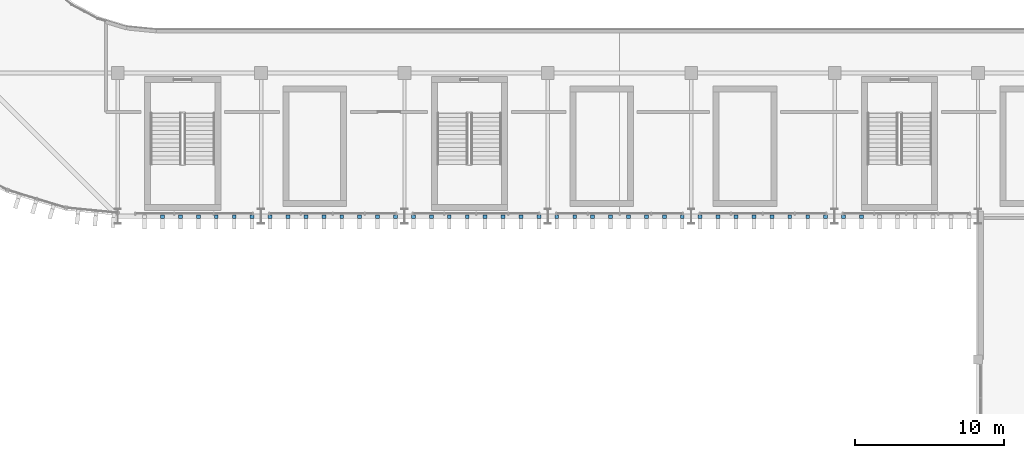
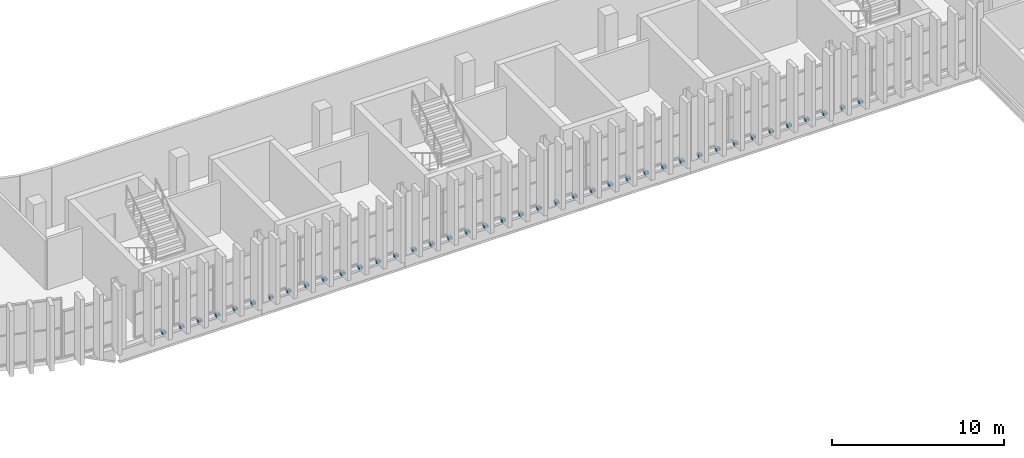
# One storey, part 68 of 92: 40 discrete accessories.
"""IFC4 building model written with IfcOpenShell, lengths in metres."""

import ifcopenshell
import ifcopenshell.guid

model = None  # the IFC model being written
_history = None  # IfcOwnerHistory: only IFC2X3 demands one
_inside = {}  # id of a spatial element -> (the spatial element, [elements in it])
_under = {}  # id of a project, library or spatial element -> (it, [spatial elements below it])
_declared = {}  # id of a project -> (the project, [libraries it declares])
_typed = {}  # id of a type object -> (the type object, [elements of that type])
_made_of = {}  # id of a material, layer set ... -> (it, [elements and type objects made of it])


def new_model(schema):
    """Start an empty IFC model of exactly this schema.

    Asked for "IFC4X3", IfcOpenShell would pick the latest addendum, in which some entities
    have other attributes; the version numbers below select the first issue.
    IFC2X3 requires an IfcOwnerHistory on every rooted entity: one is made here for all.
    """
    global model, _history
    if schema == "IFC4X3":
        model = ifcopenshell.file(schema_version=(4, 3, 0, 0))
    else:
        model = ifcopenshell.file(schema=schema)
    _inside.clear()
    _under.clear()
    _declared.clear()
    _typed.clear()
    _made_of.clear()
    _history = None
    if model.schema == "IFC2X3":
        org = make("IfcOrganization", Name="unknown")
        user = make(
            "IfcPersonAndOrganization",
            ThePerson=make("IfcPerson", FamilyName="unknown"),
            TheOrganization=org,
        )
        app = make(
            "IfcApplication",
            ApplicationDeveloper=org,
            Version="unknown",
            ApplicationFullName="unknown",
            ApplicationIdentifier="unknown",
        )
        _history = make(
            "IfcOwnerHistory",
            OwningUser=user,
            OwningApplication=app,
            ChangeAction="ADDED",
            CreationDate=0,
        )
    return model


def make(cls, **values):
    """One entity of the class cls with the attributes given. An attribute that is None is left unset."""
    return model.create_entity(
        cls, **{name: value for name, value in values.items() if value is not None}
    )


def rooted(cls, **values):
    """An entity with a GlobalId (a new one), such as an element, a storey or a relation."""
    return make(cls, GlobalId=ifcopenshell.guid.new(), OwnerHistory=_history, **values)


def si_unit(unit_type, name, prefix=None):
    """IfcSIUnit, for example si_unit("LENGTHUNIT", "METRE", prefix="MILLI")."""
    return make("IfcSIUnit", UnitType=unit_type, Prefix=prefix, Name=name)


def assignment(units):
    """IfcUnitAssignment: the units of a project."""
    return None if units is None else make("IfcUnitAssignment", Units=units)


def point(xyz):
    """IfcCartesianPoint."""
    return None if xyz is None else make("IfcCartesianPoint", Coordinates=xyz)


def direction(xyz):
    """IfcDirection."""
    return None if xyz is None else make("IfcDirection", DirectionRatios=xyz)


def frame(location, z_axis=None, x_axis=None):
    """IfcAxis2Placement3D, a coordinate frame: its origin and axes. An axis left out is left unset."""
    return make(
        "IfcAxis2Placement3D",
        Location=point(location),
        Axis=direction(z_axis),
        RefDirection=direction(x_axis),
    )


def frame_2d(location, x_axis=None):
    """IfcAxis2Placement2D, a coordinate frame in the plane: its origin and x axis."""
    return make(
        "IfcAxis2Placement2D", Location=point(location), RefDirection=direction(x_axis)
    )


def origin():
    """The frame at (0, 0, 0) with its axes left unset."""
    return frame((0.0, 0.0, 0.0))


def origin_2d():
    """The frame at (0, 0) in the plane with its x axis left unset."""
    return frame_2d((0.0, 0.0))


def place(relative_to, where):
    """IfcLocalPlacement: puts the frame where relative to a parent placement (None: the world)."""
    return make(
        "IfcLocalPlacement", PlacementRelTo=relative_to, RelativePlacement=where
    )


def context(
    kind, dimensions, precision=None, world=None, true_north=None, identifier=None
):
    """IfcGeometricRepresentationContext, for example the 3D "Model" context."""
    return make(
        "IfcGeometricRepresentationContext",
        ContextIdentifier=identifier,
        ContextType=kind,
        CoordinateSpaceDimension=dimensions,
        Precision=precision,
        WorldCoordinateSystem=world,
        TrueNorth=true_north,
    )


def subcontext(parent, identifier, kind, view, scale=None):
    """IfcGeometricRepresentationSubContext, for example "Body" below "Model"."""
    return make(
        "IfcGeometricRepresentationSubContext",
        ContextIdentifier=identifier,
        ContextType=kind,
        ParentContext=parent,
        TargetScale=scale,
        TargetView=view,
    )


def project(units=None, contexts=None):
    """IfcProject with its units and contexts."""
    return rooted(
        "IfcProject",
        Name="project",
        RepresentationContexts=contexts,
        UnitsInContext=assignment(units),
    )


def spatial(cls, under=None, at=None, **own):
    """A site, building, storey or space (cls), placed at a placement, below another one or the project."""
    s = rooted(cls, ObjectPlacement=at, **own)
    if under is not None:
        _under.setdefault(under.id(), (under, []))[1].append(s)
    return s


def profile(cls, at=None, kind="AREA", **sizes):
    """A parametric profile (cls). Its sizes go by their IFC names, for example OverallWidth=200.0."""
    return make(cls, ProfileType=kind, Position=at, **sizes)


def rectangle(**sizes):
    """IfcRectangleProfileDef."""
    return profile("IfcRectangleProfileDef", **sizes)


def extrude(swept, where, along, depth):
    """IfcExtrudedAreaSolid: the profile swept, set in the frame where, extruded along a direction by depth."""
    return make(
        "IfcExtrudedAreaSolid",
        SweptArea=swept,
        Position=where,
        ExtrudedDirection=direction(along),
        Depth=depth,
    )


def shape(context_of_items, identifier, shape_type, items):
    """IfcShapeRepresentation: the items that make up one representation, for example the "Body"."""
    return make(
        "IfcShapeRepresentation",
        ContextOfItems=context_of_items,
        RepresentationIdentifier=identifier,
        RepresentationType=shape_type,
        Items=items,
    )


def material(Name=None, Category=None):
    """IfcMaterial."""
    return make("IfcMaterial", Name=Name, Category=Category)


def made_of(thing, what):
    """Note that an element or type object is made of a material, layer set ...; save() writes the relation."""
    if what is not None:
        _made_of.setdefault(what.id(), (what, []))[1].append(thing)
    return thing


def type_object(cls, material=None, **own):
    """A type object (cls), such as IfcWallType, which elements share."""
    return made_of(rooted(cls, **own), material)


def element(
    cls,
    number,
    at=None,
    inside=None,
    cuts=None,
    type_object=None,
    material=None,
    context=None,
    identifier="Body",
    shape_type=None,
    held_by="IfcProductDefinitionShape",
    body=None,
    shapes=None,
    **own,
):
    """One element of the class cls, such as IfcWall. Its Tag is "e" and its number.

    at: its placement. inside: the storey or other place that contains it. cuts: it is an
    opening in that element (IfcRelVoidsElement). A single representation is given by context,
    identifier, shape_type and body (its items); several are given by shapes. held_by: the class
    of the entity that holds the representations. save() writes the other relations.
    """
    e = rooted(cls, Tag="e%d" % number, ObjectPlacement=at, **own)
    if body is not None:
        shapes = [shape(context, identifier, shape_type, body)]
    if shapes is not None:
        e.Representation = make(held_by, Representations=shapes)
    if inside is not None:
        _inside.setdefault(inside.id(), (inside, []))[1].append(e)
    if cuts is not None:
        rooted(
            "IfcRelVoidsElement", RelatingBuildingElement=cuts, RelatedOpeningElement=e
        )
    if type_object is not None:
        _typed.setdefault(type_object.id(), (type_object, []))[1].append(e)
    return made_of(e, material)


def aggregate(whole, parts):
    """IfcRelAggregates: a whole, such as a stair, and the parts it consists of."""
    return rooted("IfcRelAggregates", RelatingObject=whole, RelatedObjects=parts)


def save(model, path):
    """Write the relations noted so far, then the file.

    IfcRelAggregates (storeys below a building ...), IfcRelContainedInSpatialStructure (elements
    in a storey), IfcRelDefinesByType, IfcRelAssociatesMaterial and IfcRelDeclares: one each for
    every whole, place, type object, material and project.
    """
    for whole, parts in _under.values():
        aggregate(whole, parts)
    for where, things in _inside.values():
        rooted(
            "IfcRelContainedInSpatialStructure",
            RelatedElements=things,
            RelatingStructure=where,
        )
    for kind, things in _typed.values():
        rooted("IfcRelDefinesByType", RelatedObjects=things, RelatingType=kind)
    for what, things in _made_of.values():
        rooted("IfcRelAssociatesMaterial", RelatedObjects=things, RelatingMaterial=what)
    for by, libraries in _declared.values():
        rooted("IfcRelDeclares", RelatingContext=by, RelatedDefinitions=libraries)
    model.write(path)


model = new_model("IFC4")

# Units and contexts
model_context = context("Model", 3, precision=1e-05, world=origin(), true_north=direction((0.0, 1.0)))
body_context = subcontext(model_context, "Body", "Model", "MODEL_VIEW")
ifc_project = project(units=[si_unit("LENGTHUNIT", "METRE"), si_unit("AREAUNIT", "SQUARE_METRE"), si_unit("VOLUMEUNIT", "CUBIC_METRE"), si_unit("PLANEANGLEUNIT", "RADIAN"), si_unit("MASSUNIT", "GRAM", prefix="KILO")], contexts=[model_context])

# Site, building, storey
site_placement = place(None, origin())
site = spatial("IfcSite", under=ifc_project, at=site_placement, CompositionType="ELEMENT")
building_placement = place(site_placement, origin())
building = spatial("IfcBuilding", under=site, at=building_placement, Name="Caelomonte Colonnade Arena", CompositionType="ELEMENT")
storey_placement = place(building_placement, frame((0.0, 0.0, 9.60009765625)))
storey = spatial("IfcBuildingStorey", under=building, at=storey_placement, Name="L02", CompositionType="ELEMENT", Elevation=9.60009765625)

# Discrete accessories
ifc_material = material(Name="Steel ASTM A572 Grade 50", Category="steel")
discrete_accessory_type = type_object("IfcDiscreteAccessoryType", Name="ENV-ACC-BRK", PredefinedType="BRACKET", material=ifc_material)
for number, where, z_axis, x_axis, name in (
    (1, (79.800048828125, 19.169921875, -0.2099609375), (0.0, 0.0, 1.0), (1.0, 0.0, 0.0), "V1 L02 fin support bracket 240"),
    (2, (81.0, 19.169921875, -0.2099609375), (0.0, 0.0, 1.0), (1.0, 0.0, 0.0), "V1 L02 fin support bracket 241"),
    (3, (82.199951171875, 19.169921875, -0.2099609375), (0.0, 0.0, 1.0), (1.0, 0.0, 0.0), "V1 L02 fin support bracket 242"),
    (4, (83.39990234375, 19.169921875, -0.2099609375), (0.0, 0.0, 1.0), (1.0, 0.0, 0.0), "V1 L02 fin support bracket 243"),
    (5, (84.60009765625, 19.169921875, -0.2099609375), (0.0, 0.0, 1.0), (1.0, 0.0, 0.0), "V1 L02 fin support bracket 244"),
    (6, (85.800048828125, 19.169921875, -0.2099609375), (0.0, 0.0, 1.0), (1.0, 0.0, 0.0), "V1 L02 fin support bracket 245"),
    (7, (87.0, 19.169921875, -0.2099609375), (0.0, 0.0, 1.0), (1.0, 0.0, 0.0), "V1 L02 fin support bracket 246"),
    (8, (88.199951171875, 19.169921875, -0.2099609375), (0.0, 0.0, 1.0), (1.0, 0.0, 0.0), "V1 L02 fin support bracket 247"),
    (9, (89.39990234375, 19.169921875, -0.2099609375), (0.0, 0.0, 1.0), (1.0, 0.0, 0.0), "V1 L02 fin support bracket 248"),
    (10, (90.60009765625, 19.169921875, -0.2099609375), (0.0, 0.0, 1.0), (1.0, 0.0, 0.0), "V1 L02 fin support bracket 249"),
    (11, (91.800048828125, 19.169921875, -0.2099609375), (0.0, 0.0, 1.0), (1.0, 0.0, 0.0), "V1 L02 fin support bracket 250"),
    (12, (93.0, 19.169921875, -0.2099609375), (0.0, 0.0, 1.0), (1.0, 0.0, 0.0), "V1 L02 fin support bracket 251"),
    (13, (94.199951171875, 19.169921875, -0.2099609375), (0.0, 0.0, 1.0), (1.0, 0.0, 0.0), "V1 L02 fin support bracket 252"),
    (14, (95.39990234375, 19.169921875, -0.2099609375), (0.0, 0.0, 1.0), (1.0, 0.0, 0.0), "V1 L02 fin support bracket 253"),
    (15, (96.60009765625, 19.169921875, -0.2099609375), (0.0, 0.0, 1.0), (1.0, 0.0, 0.0), "V1 L02 fin support bracket 254"),
    (16, (97.800048828125, 19.169921875, -0.2099609375), (0.0, 0.0, 1.0), (1.0, 0.0, 0.0), "V1 L02 fin support bracket 255"),
    (17, (99.0, 19.169921875, -0.2099609375), (0.0, 0.0, 1.0), (1.0, 0.0, 0.0), "V1 L02 fin support bracket 256"),
    (18, (100.199951171875, 19.169921875, -0.2099609375), (0.0, 0.0, 1.0), (1.0, 0.0, 0.0), "V1 L02 fin support bracket 257"),
    (19, (101.39990234375, 19.169921875, -0.2099609375), (0.0, 0.0, 1.0), (1.0, 0.0, 0.0), "V1 L02 fin support bracket 258"),
    (20, (102.60009765625, 19.169921875, -0.2099609375), (0.0, 0.0, 1.0), (1.0, 0.0, 0.0), "V1 L02 fin support bracket 259"),
    (21, (103.800048828125, 19.169921875, -0.2099609375), (0.0, 0.0, 1.0), (1.0, 0.0, 0.0), "V1 L02 fin support bracket 260"),
    (22, (105.0, 19.169921875, -0.2099609375), (0.0, 0.0, 1.0), (1.0, 0.0, 0.0), "V1 L02 fin support bracket 261"),
    (23, (106.199951171875, 19.169921875, -0.2099609375), (0.0, 0.0, 1.0), (1.0, 0.0, 0.0), "V1 L02 fin support bracket 262"),
    (24, (107.39990234375, 19.169921875, -0.2099609375), (0.0, 0.0, 1.0), (1.0, 0.0, 0.0), "V1 L02 fin support bracket 263"),
    (25, (108.60009765625, 19.169921875, -0.2099609375), (0.0, 0.0, 1.0), (1.0, 0.0, 0.0), "V1 L02 fin support bracket 264"),
    (26, (109.800048828125, 19.169921875, -0.2099609375), (0.0, 0.0, 1.0), (1.0, 0.0, 0.0), "V1 L02 fin support bracket 265"),
    (27, (111.0, 19.169921875, -0.2099609375), (0.0, 0.0, 1.0), (1.0, 0.0, 0.0), "V1 L02 fin support bracket 266"),
    (28, (112.199951171875, 19.169921875, -0.2099609375), (0.0, 0.0, 1.0), (1.0, 0.0, 0.0), "V1 L02 fin support bracket 267"),
    (29, (113.39990234375, 19.169921875, -0.2099609375), (0.0, 0.0, 1.0), (1.0, 0.0, 0.0), "V1 L02 fin support bracket 268"),
    (30, (114.60009765625, 19.169921875, -0.2099609375), (0.0, 0.0, 1.0), (1.0, 0.0, 0.0), "V1 L02 fin support bracket 269"),
    (31, (115.800048828125, 19.169921875, -0.2099609375), (0.0, 0.0, 1.0), (1.0, 0.0, 0.0), "V1 L02 fin support bracket 270"),
    (32, (117.0, 19.169921875, -0.2099609375), (0.0, 0.0, 1.0), (1.0, 0.0, 0.0), "V1 L02 fin support bracket 271"),
    (33, (118.199951171875, 19.169921875, -0.2099609375), (0.0, 0.0, 1.0), (1.0, 0.0, 0.0), "V1 L02 fin support bracket 272"),
    (34, (119.39990234375, 19.169921875, -0.2099609375), (0.0, 0.0, 1.0), (1.0, 0.0, 0.0), "V1 L02 fin support bracket 273"),
    (35, (120.60009765625, 19.169921875, -0.2099609375), (0.0, 0.0, 1.0), (1.0, 0.0, 0.0), "V1 L02 fin support bracket 274"),
    (36, (121.800048828125, 19.169921875, -0.2099609375), (0.0, 0.0, 1.0), (1.0, 0.0, 0.0), "V1 L02 fin support bracket 275"),
    (37, (123.0, 19.169921875, -0.2099609375), (0.0, 0.0, 1.0), (1.0, 0.0, 0.0), "V1 L02 fin support bracket 276"),
    (38, (124.199951171875, 19.169921875, -0.2099609375), (0.0, 0.0, 1.0), (1.0, 0.0, 0.0), "V1 L02 fin support bracket 277"),
    (39, (125.39990234375, 19.169921875, -0.2099609375), (0.0, 0.0, 1.0), (1.0, 0.0, 0.0), "V1 L02 fin support bracket 278"),
    (40, (126.60009765625, 19.169921875, -0.2099609375), (0.0, 0.0, 1.0), (1.0, 0.0, 0.0), "V1 L02 fin support bracket 279"),
):
    element("IfcDiscreteAccessory", number, at=place(storey_placement, frame(where, z_axis=z_axis, x_axis=x_axis)), inside=storey, type_object=discrete_accessory_type, Name=name, PredefinedType="BRACKET", context=body_context, shape_type="SweptSolid", body=[
        extrude(rectangle(XDim=0.260009765625, YDim=0.260009765625, at=origin_2d()), origin(), (0.0, 0.0, 1.0), 0.179931640625),
    ])

save(model, "model.ifc")
